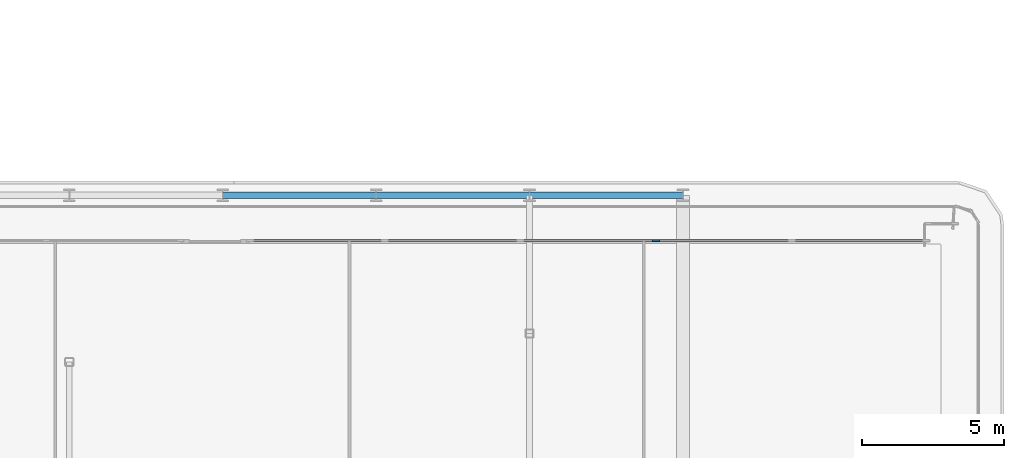
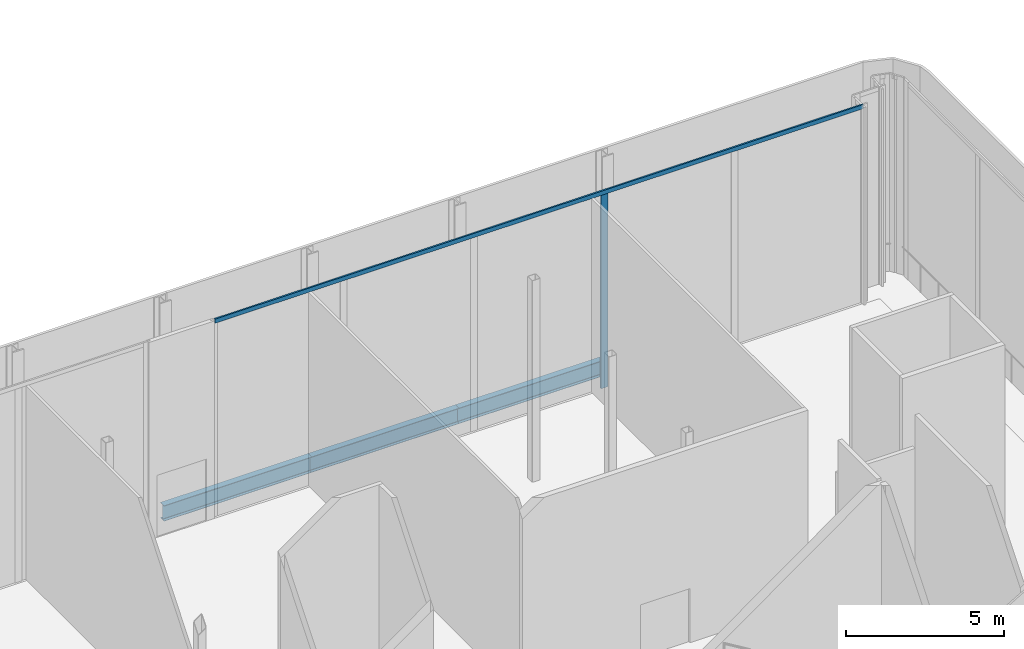
# One storey, part 11 of 37: 3 beams, 2 members, 1 element without a shape of its own.
"""IFC4 building model written with IfcOpenShell, lengths in metres."""

from ifc_helpers import new_model, si_unit, direction, frame, origin, origin_2d, place, context, subcontext, project, spatial, rectangle, i_section, extrude, material, layer, layer_set, material_profile, profile_set, type_object, element, aggregate, save


model = new_model("IFC4")

# Units and contexts
model_context = context("Model", 3, precision=1e-05, world=origin(), true_north=direction((0.0, 1.0)))
body_context = subcontext(model_context, "Body", "Model", "MODEL_VIEW")
ifc_project = project(units=[si_unit("LENGTHUNIT", "METRE"), si_unit("AREAUNIT", "SQUARE_METRE"), si_unit("VOLUMEUNIT", "CUBIC_METRE"), si_unit("PLANEANGLEUNIT", "RADIAN"), si_unit("MASSUNIT", "GRAM", prefix="KILO")], contexts=[model_context])

# Site, building, storey
site_placement = place(None, origin())
site = spatial("IfcSite", under=ifc_project, at=site_placement, CompositionType="ELEMENT")
building_placement = place(site_placement, origin())
building = spatial("IfcBuilding", under=site, at=building_placement, Name="Kheshtan School and Residences Tower", CompositionType="ELEMENT")
storey_placement = place(building_placement, frame((0.0, 0.0, 144.800048828125)))
storey = spatial("IfcBuildingStorey", under=building, at=storey_placement, Name="L34", CompositionType="ELEMENT", Elevation=144.800048828125)

# Beams
ifc_material_1 = material(Name="Steel ASTM A992 Grade 50", Category="steel")
ifc_material_profile_1 = material_profile(ifc_material_1, i_section(OverallWidth=0.22802734375, OverallDepth=0.60302734375, WebThickness=0.010498046875, FlangeThickness=0.014892578125, FilletRadius=0.013427734375, at=origin_2d()), Name="W610x101")
ifc_profile_set_1 = profile_set([ifc_material_profile_1], Name="Steel ASTM A992 Grade 50")
beam_type = type_object("IfcBeamType", Name="Beam SP2 W610x101 ASTM A992 Grade 50", PredefinedType="BEAM", material=ifc_profile_set_1)
for number, where, z_axis, x_axis, name in (
    (1, (74.60009765625, 45.60009765625, -0.45166015625), (1.0, 0.0, 0.0), (0.0, 1.0, 0.0), "Spandrel beam C065-C066"),
    (2, (80.0, 45.60009765625, -0.45166015625), (1.0, 0.0, 0.0), (0.0, 1.0, 0.0), "Spandrel beam C066-C067"),
):
    element("IfcBeam", number, at=place(storey_placement, frame(where, z_axis=z_axis, x_axis=x_axis)), inside=storey, type_object=beam_type, Name=name, PredefinedType="BEAM", context=body_context, shape_type="SweptSolid", body=[
        extrude(i_section(OverallWidth=0.22802734375, OverallDepth=0.60302734375, WebThickness=0.010498046875, FlangeThickness=0.014892578125, FilletRadius=0.013427734375, at=origin_2d()), origin(), (0.0, 0.0, 1.0), 5.39990234375),
    ])
beam_placement = place(storey_placement, frame((85.39990234375, 45.60009765625, -0.45166015625), z_axis=(1.0, 0.0, 0.0), x_axis=(0.0, 1.0, 0.0)))
element("IfcBeam", 3, at=beam_placement, inside=storey, type_object=beam_type, Name="Spandrel beam C067-C068", PredefinedType="BEAM", context=body_context, shape_type="SweptSolid", body=[
    extrude(i_section(OverallWidth=0.22802734375, OverallDepth=0.60302734375, WebThickness=0.010498046875, FlangeThickness=0.014892578125, FilletRadius=0.013427734375, at=origin_2d()), origin(), (0.0, 0.0, 1.0), 5.400146484375),
])

# Curtain wall, members
ifc_material_2 = material(Name="Clear low-e glass in thermally broken aluminium frame", Category="aluminium")
ifc_layer = layer(ifc_material_2, 0.25)
ifc_layer_set = layer_set([ifc_layer], Name="Curtain wall CW-G")
curtain_wall_type = type_object("IfcCurtainWallType", Name="Curtain wall CW-G", PredefinedType="NOTDEFINED", material=ifc_layer_set)
curtain_wall_placement = place(storey_placement, origin())
curtain_wall = element("IfcCurtainWall", 4, at=curtain_wall_placement, inside=storey, type_object=curtain_wall_type, Name="Curtain wall CWG5a", PredefinedType="NOTDEFINED")
ifc_material_3 = material(Name="Thermally broken aluminium, dark bronze anodised", Category="aluminium")
ifc_material_profile_2 = material_profile(ifc_material_3, rectangle(XDim=0.06005859375, YDim=0.25, at=origin_2d()), Name="CW-G mullion 60x250")
ifc_profile_set_2 = profile_set([ifc_material_profile_2], Name="Thermally broken aluminium, dark bronze anodised")
member_type_1 = type_object("IfcMemberType", Name="CW-G mullion 60x250", PredefinedType="MULLION", material=ifc_profile_set_2)
member_1_placement = place(storey_placement, frame((89.85205078125, 44.0, 0.0), z_axis=(0.0, 0.0, 1.0), x_axis=(0.0, 1.0, 0.0)))
member_1 = element("IfcMember", 5, at=member_1_placement, type_object=member_type_1, Name="CWG5a mullion 4", PredefinedType="MULLION", context=body_context, shape_type="SweptSolid", body=[
    extrude(rectangle(XDim=0.06005859375, YDim=0.25, at=origin_2d()), origin(), (0.0, 0.0, 1.0), 7.489990234375),
])
ifc_material_profile_3 = material_profile(ifc_material_3, rectangle(XDim=0.06005859375, YDim=0.159912109375, at=origin_2d()), Name="CW-G transom 60x160")
ifc_profile_set_3 = profile_set([ifc_material_profile_3], Name="Thermally broken aluminium, dark bronze anodised")
member_type_2 = type_object("IfcMemberType", Name="CW-G transom 60x160", PredefinedType="USERDEFINED", material=ifc_profile_set_3)
member_2_placement = place(storey_placement, frame((75.590087890625, 44.0, 7.570068359375), z_axis=(1.0, 0.0, 0.0), x_axis=(0.0, 1.0, 0.0)))
member_2 = element("IfcMember", 6, at=member_2_placement, type_object=member_type_2, Name="CWG5a transom 1", ObjectType="TRANSOM", PredefinedType="USERDEFINED", context=body_context, shape_type="SweptSolid", body=[
    extrude(rectangle(XDim=0.06005859375, YDim=0.159912109375, at=origin_2d()), origin(), (0.0, 0.0, 1.0), 23.75),
])
aggregate(curtain_wall, [member_1, member_2])

save(model, "model.ifc")
